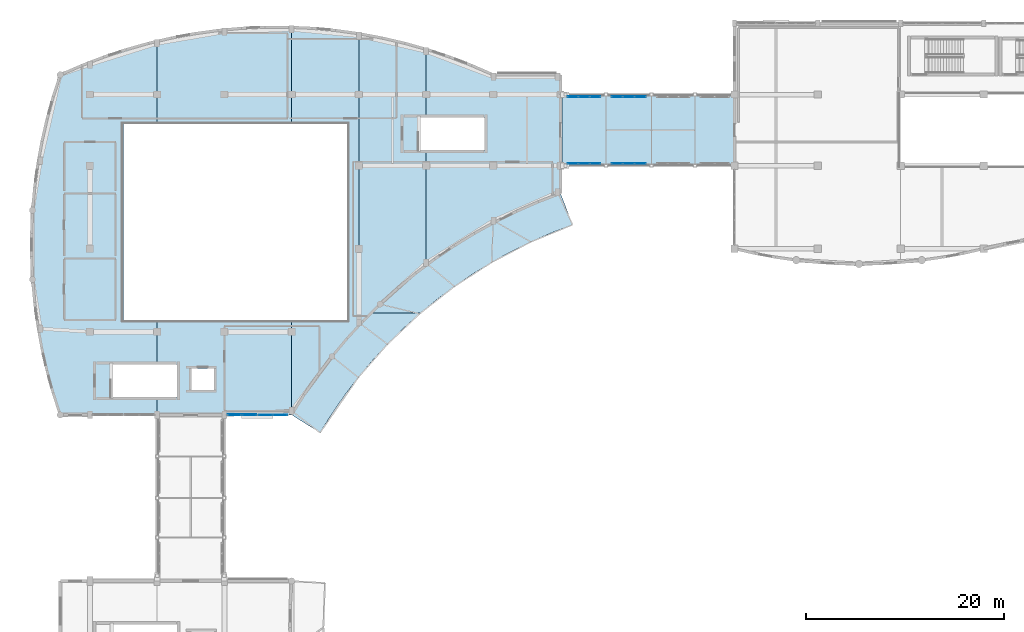
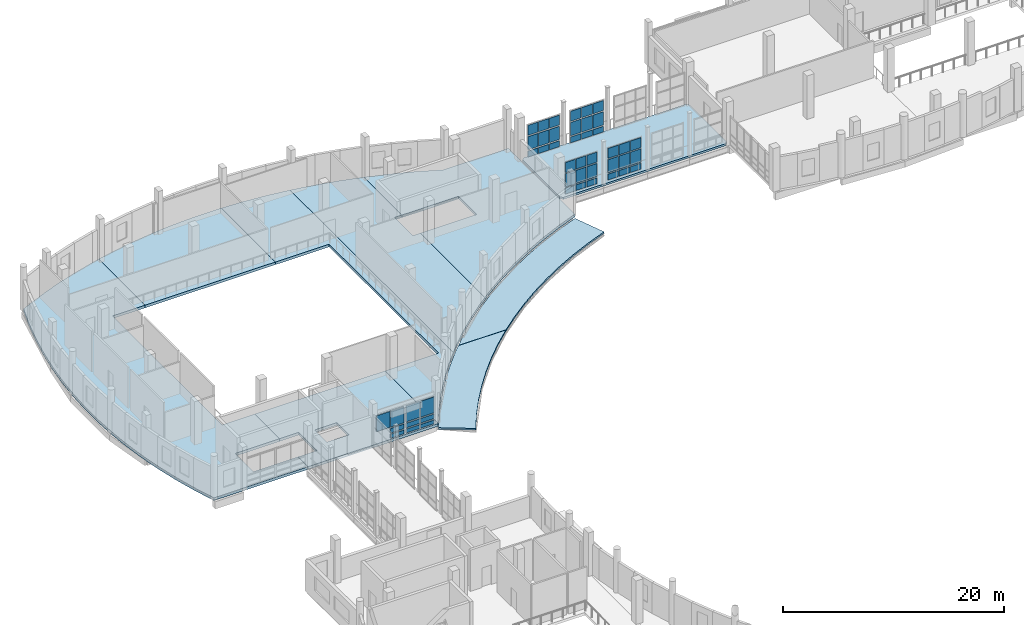
# One storey, part 70 of 106: 46 plates, 9 slabs, 6 elements without a shape of their own.
"""IFC4 building model written with IfcOpenShell, lengths in metres."""

from ifc_helpers import new_model, si_unit, direction, frame, origin, origin_2d, place, context, subcontext, project, spatial, polyline, rectangle, outline, extrude, material, layer, layer_set, type_object, element, aggregate, save


model = new_model("IFC4")

# Units and contexts
model_context = context("Model", 3, precision=1e-05, world=origin(), true_north=direction((0.0, 1.0)))
body_context = subcontext(model_context, "Body", "Model", "MODEL_VIEW")
ifc_project = project(units=[si_unit("LENGTHUNIT", "METRE"), si_unit("AREAUNIT", "SQUARE_METRE"), si_unit("VOLUMEUNIT", "CUBIC_METRE"), si_unit("PLANEANGLEUNIT", "RADIAN"), si_unit("MASSUNIT", "GRAM", prefix="KILO")], contexts=[model_context])

# Site, building, storey
site_placement = place(None, origin())
site = spatial("IfcSite", under=ifc_project, at=site_placement, CompositionType="ELEMENT")
building_placement = place(site_placement, origin())
building = spatial("IfcBuilding", under=site, at=building_placement, Name="Kisaragi Civic Commons", CompositionType="ELEMENT")
storey_placement = place(building_placement, frame((0.0, 0.0, 4.800048828125)))
storey = spatial("IfcBuildingStorey", under=building, at=storey_placement, Name="L01", CompositionType="ELEMENT", Elevation=4.800048828125)

# Curtain wall, plates
ifc_material_1 = material(Name="Thermally broken anodized aluminium and low-E double glazing", Category="aluminium")
ifc_layer_1 = layer(ifc_material_1, 0.2099609375, Name="Thermally broken anodized aluminium and low-E double glazing", Category="aluminium")
ifc_layer_set_1 = layer_set([ifc_layer_1], Name="Thermally broken anodized aluminium and low-E double glazing")
curtain_wall_type_1 = type_object("IfcCurtainWallType", Name="CW-02", PredefinedType="NOTDEFINED", material=ifc_layer_set_1)
curtain_wall_1_placement = place(storey_placement, origin())
curtain_wall_1 = element("IfcCurtainWall", 1, at=curtain_wall_1_placement, inside=storey, type_object=curtain_wall_type_1, Name="L01 curtain wall CW-02 CW-V2-L01-005", PredefinedType="NOTDEFINED")
ifc_layer_2 = layer(ifc_material_1, 0.06005859375, Name="Thermally broken anodized aluminium and low-E double glazing", Category="aluminium")
ifc_layer_set_2 = layer_set([ifc_layer_2], Name="Thermally broken anodized aluminium and low-E double glazing")
plate_type_1 = type_object("IfcPlateType", Name="CWP-07", PredefinedType="CURTAIN_PANEL", material=ifc_layer_set_2)
plate_1_placement = place(storey_placement, frame((26.043212890625, 79.199951171875, 0.16015625), z_axis=(0.0, 0.0, 1.0), x_axis=(-1.0, 0.0, 0.0)))
plate_1 = element("IfcPlate", 2, at=plate_1_placement, type_object=plate_type_1, Name="CW-02 panel 1.1", PredefinedType="CURTAIN_PANEL", context=body_context, shape_type="SweptSolid", body=[
    extrude(rectangle(XDim=1.413818359375, YDim=0.06005859375, at=origin_2d()), origin(), (0.0, 0.0, 1.0), 0.409912109375),
])
plate_2_placement = place(storey_placement, frame((26.043212890625, 79.199951171875, 0.72998046875), z_axis=(0.0, 0.0, 1.0), x_axis=(-1.0, 0.0, 0.0)))
plate_2 = element("IfcPlate", 3, at=plate_2_placement, type_object=plate_type_1, Name="CW-02 panel 1.2", PredefinedType="CURTAIN_PANEL", context=body_context, shape_type="SweptSolid", body=[
    extrude(rectangle(XDim=1.413818359375, YDim=0.06005859375, at=origin_2d()), origin(), (0.0, 0.0, 1.0), 0.489990234375),
])
plate_3_placement = place(storey_placement, frame((26.043212890625, 79.199951171875, 1.3798828125), z_axis=(0.0, 0.0, 1.0), x_axis=(-1.0, 0.0, 0.0)))
plate_3 = element("IfcPlate", 4, at=plate_3_placement, type_object=plate_type_1, Name="CW-02 panel 1.3", PredefinedType="CURTAIN_PANEL", context=body_context, shape_type="SweptSolid", body=[
    extrude(rectangle(XDim=1.413818359375, YDim=0.06005859375, at=origin_2d()), origin(), (0.0, 0.0, 1.0), 1.7451171875),
])
plate_4_placement = place(storey_placement, frame((24.559326171875, 79.199951171875, 0.16015625), z_axis=(0.0, 0.0, 1.0), x_axis=(-1.0, 0.0, 0.0)))
plate_4 = element("IfcPlate", 5, at=plate_4_placement, type_object=plate_type_1, Name="CW-02 panel 2.1", PredefinedType="CURTAIN_PANEL", context=body_context, shape_type="SweptSolid", body=[
    extrude(rectangle(XDim=1.413818359375, YDim=0.06005859375, at=origin_2d()), origin(), (0.0, 0.0, 1.0), 0.409912109375),
])
plate_5_placement = place(storey_placement, frame((24.559326171875, 79.199951171875, 0.72998046875), z_axis=(0.0, 0.0, 1.0), x_axis=(-1.0, 0.0, 0.0)))
plate_5 = element("IfcPlate", 6, at=plate_5_placement, type_object=plate_type_1, Name="CW-02 panel 2.2", PredefinedType="CURTAIN_PANEL", context=body_context, shape_type="SweptSolid", body=[
    extrude(rectangle(XDim=1.413818359375, YDim=0.06005859375, at=origin_2d()), origin(), (0.0, 0.0, 1.0), 0.489990234375),
])
plate_6_placement = place(storey_placement, frame((24.559326171875, 79.199951171875, 1.3798828125), z_axis=(0.0, 0.0, 1.0), x_axis=(-1.0, 0.0, 0.0)))
plate_6 = element("IfcPlate", 7, at=plate_6_placement, type_object=plate_type_1, Name="CW-02 panel 2.3", PredefinedType="CURTAIN_PANEL", context=body_context, shape_type="SweptSolid", body=[
    extrude(rectangle(XDim=1.413818359375, YDim=0.06005859375, at=origin_2d()), origin(), (0.0, 0.0, 1.0), 1.7451171875),
])
aggregate(curtain_wall_1, [plate_1, plate_2, plate_3, plate_4, plate_5, plate_6])

ifc_layer_3 = layer(ifc_material_1, 0.179931640625, Name="Thermally broken anodized aluminium and low-E double glazing", Category="aluminium")
ifc_layer_set_3 = layer_set([ifc_layer_3], Name="Thermally broken anodized aluminium and low-E double glazing")
curtain_wall_type_2 = type_object("IfcCurtainWallType", Name="CW-04", PredefinedType="NOTDEFINED", material=ifc_layer_set_3)
curtain_wall_2_placement = place(storey_placement, origin())
curtain_wall_2 = element("IfcCurtainWall", 8, at=curtain_wall_2_placement, inside=storey, type_object=curtain_wall_type_2, Name="L01 curtain wall CW-04 CW-BR-117", PredefinedType="NOTDEFINED")
ifc_layer_4 = layer(ifc_material_1, 0.068115234375, Name="Thermally broken anodized aluminium and low-E double glazing", Category="aluminium")
ifc_layer_set_4 = layer_set([ifc_layer_4], Name="Thermally broken anodized aluminium and low-E double glazing")
plate_type_2 = type_object("IfcPlateType", Name="CWP-08", PredefinedType="CURTAIN_PANEL", material=ifc_layer_set_4)
plate_7_placement = place(storey_placement, frame((55.654541015625, 104.6201171875, 0.14013671875), z_axis=(0.0, 0.0, 1.0), x_axis=(1.0, 0.0, 0.0)))
plate_7 = element("IfcPlate", 9, at=plate_7_placement, type_object=plate_type_2, Name="CW-04 panel 1.1", PredefinedType="CURTAIN_PANEL", context=body_context, shape_type="SweptSolid", body=[
    extrude(rectangle(XDim=1.0390625, YDim=0.068115234375, at=origin_2d()), origin(), (0.0, 0.0, 1.0), 0.639892578125),
])
plate_8_placement = place(storey_placement, frame((55.654541015625, 104.6201171875, 0.919921875), z_axis=(0.0, 0.0, 1.0), x_axis=(1.0, 0.0, 0.0)))
plate_8 = element("IfcPlate", 10, at=plate_8_placement, type_object=plate_type_2, Name="CW-04 panel 1.2", PredefinedType="CURTAIN_PANEL", context=body_context, shape_type="SweptSolid", body=[
    extrude(rectangle(XDim=1.0390625, YDim=0.068115234375, at=origin_2d()), origin(), (0.0, 0.0, 1.0), 1.4599609375),
])
plate_9_placement = place(storey_placement, frame((55.654541015625, 104.6201171875, 2.52001953125), z_axis=(0.0, 0.0, 1.0), x_axis=(1.0, 0.0, 0.0)))
plate_9 = element("IfcPlate", 11, at=plate_9_placement, type_object=plate_type_2, Name="CW-04 panel 1.3", PredefinedType="CURTAIN_PANEL", context=body_context, shape_type="SweptSolid", body=[
    extrude(rectangle(XDim=1.0390625, YDim=0.068115234375, at=origin_2d()), origin(), (0.0, 0.0, 1.0), 1.10009765625),
])
plate_10_placement = place(storey_placement, frame((56.77490234375, 104.6201171875, 0.14013671875), z_axis=(0.0, 0.0, 1.0), x_axis=(1.0, 0.0, 0.0)))
plate_10 = element("IfcPlate", 12, at=plate_10_placement, type_object=plate_type_2, Name="CW-04 panel 2.1", PredefinedType="CURTAIN_PANEL", context=body_context, shape_type="SweptSolid", body=[
    extrude(rectangle(XDim=1.07177734375, YDim=0.068115234375, at=origin_2d()), origin(), (0.0, 0.0, 1.0), 0.639892578125),
])
plate_11_placement = place(storey_placement, frame((56.77490234375, 104.6201171875, 0.919921875), z_axis=(0.0, 0.0, 1.0), x_axis=(1.0, 0.0, 0.0)))
plate_11 = element("IfcPlate", 13, at=plate_11_placement, type_object=plate_type_2, Name="CW-04 panel 2.2", PredefinedType="CURTAIN_PANEL", context=body_context, shape_type="SweptSolid", body=[
    extrude(rectangle(XDim=1.07177734375, YDim=0.068115234375, at=origin_2d()), origin(), (0.0, 0.0, 1.0), 1.4599609375),
])
plate_12_placement = place(storey_placement, frame((56.77490234375, 104.6201171875, 2.52001953125), z_axis=(0.0, 0.0, 1.0), x_axis=(1.0, 0.0, 0.0)))
plate_12 = element("IfcPlate", 14, at=plate_12_placement, type_object=plate_type_2, Name="CW-04 panel 2.3", PredefinedType="CURTAIN_PANEL", context=body_context, shape_type="SweptSolid", body=[
    extrude(rectangle(XDim=1.07177734375, YDim=0.068115234375, at=origin_2d()), origin(), (0.0, 0.0, 1.0), 1.10009765625),
])
plate_13_placement = place(storey_placement, frame((57.8955078125, 104.6201171875, 0.14013671875), z_axis=(0.0, 0.0, 1.0), x_axis=(1.0, 0.0, 0.0)))
plate_13 = element("IfcPlate", 15, at=plate_13_placement, type_object=plate_type_2, Name="CW-04 panel 3.1", PredefinedType="CURTAIN_PANEL", context=body_context, shape_type="SweptSolid", body=[
    extrude(rectangle(XDim=1.0390625, YDim=0.068115234375, at=origin_2d()), origin(), (0.0, 0.0, 1.0), 0.639892578125),
])
plate_14_placement = place(storey_placement, frame((57.8955078125, 104.6201171875, 0.919921875), z_axis=(0.0, 0.0, 1.0), x_axis=(1.0, 0.0, 0.0)))
plate_14 = element("IfcPlate", 16, at=plate_14_placement, type_object=plate_type_2, Name="CW-04 panel 3.2", PredefinedType="CURTAIN_PANEL", context=body_context, shape_type="SweptSolid", body=[
    extrude(rectangle(XDim=1.0390625, YDim=0.068115234375, at=origin_2d()), origin(), (0.0, 0.0, 1.0), 1.4599609375),
])
plate_15_placement = place(storey_placement, frame((57.8955078125, 104.6201171875, 2.52001953125), z_axis=(0.0, 0.0, 1.0), x_axis=(1.0, 0.0, 0.0)))
plate_15 = element("IfcPlate", 17, at=plate_15_placement, type_object=plate_type_2, Name="CW-04 panel 3.3", PredefinedType="CURTAIN_PANEL", context=body_context, shape_type="SweptSolid", body=[
    extrude(rectangle(XDim=1.0390625, YDim=0.068115234375, at=origin_2d()), origin(), (0.0, 0.0, 1.0), 1.10009765625),
])
aggregate(curtain_wall_2, [plate_7, plate_8, plate_9, plate_10, plate_11, plate_12, plate_13, plate_14, plate_15])

curtain_wall_3_placement = place(storey_placement, origin())
curtain_wall_3 = element("IfcCurtainWall", 18, at=curtain_wall_3_placement, inside=storey, type_object=curtain_wall_type_2, Name="L01 curtain wall CW-04 CW-BR-118", PredefinedType="NOTDEFINED")
plate_16_placement = place(storey_placement, frame((60.129638671875, 104.6201171875, 0.14013671875), z_axis=(0.0, 0.0, 1.0), x_axis=(1.0, 0.0, 0.0)))
plate_16 = element("IfcPlate", 19, at=plate_16_placement, type_object=plate_type_2, Name="CW-04 panel 1.1", PredefinedType="CURTAIN_PANEL", context=body_context, shape_type="SweptSolid", body=[
    extrude(rectangle(XDim=1.089111328125, YDim=0.068115234375, at=origin_2d()), origin(), (0.0, 0.0, 1.0), 0.639892578125),
])
plate_17_placement = place(storey_placement, frame((60.129638671875, 104.6201171875, 0.919921875), z_axis=(0.0, 0.0, 1.0), x_axis=(1.0, 0.0, 0.0)))
plate_17 = element("IfcPlate", 20, at=plate_17_placement, type_object=plate_type_2, Name="CW-04 panel 1.2", PredefinedType="CURTAIN_PANEL", context=body_context, shape_type="SweptSolid", body=[
    extrude(rectangle(XDim=1.089111328125, YDim=0.068115234375, at=origin_2d()), origin(), (0.0, 0.0, 1.0), 1.4599609375),
])
plate_18_placement = place(storey_placement, frame((60.129638671875, 104.6201171875, 2.52001953125), z_axis=(0.0, 0.0, 1.0), x_axis=(1.0, 0.0, 0.0)))
plate_18 = element("IfcPlate", 21, at=plate_18_placement, type_object=plate_type_2, Name="CW-04 panel 1.3", PredefinedType="CURTAIN_PANEL", context=body_context, shape_type="SweptSolid", body=[
    extrude(rectangle(XDim=1.089111328125, YDim=0.068115234375, at=origin_2d()), origin(), (0.0, 0.0, 1.0), 1.10009765625),
])
plate_19_placement = place(storey_placement, frame((61.300048828125, 104.6201171875, 0.14013671875), z_axis=(0.0, 0.0, 1.0), x_axis=(1.0, 0.0, 0.0)))
plate_19 = element("IfcPlate", 22, at=plate_19_placement, type_object=plate_type_2, Name="CW-04 panel 2.1", PredefinedType="CURTAIN_PANEL", context=body_context, shape_type="SweptSolid", body=[
    extrude(rectangle(XDim=1.12158203125, YDim=0.068115234375, at=origin_2d()), origin(), (0.0, 0.0, 1.0), 0.639892578125),
])
plate_20_placement = place(storey_placement, frame((61.300048828125, 104.6201171875, 0.919921875), z_axis=(0.0, 0.0, 1.0), x_axis=(1.0, 0.0, 0.0)))
plate_20 = element("IfcPlate", 23, at=plate_20_placement, type_object=plate_type_2, Name="CW-04 panel 2.2", PredefinedType="CURTAIN_PANEL", context=body_context, shape_type="SweptSolid", body=[
    extrude(rectangle(XDim=1.12158203125, YDim=0.068115234375, at=origin_2d()), origin(), (0.0, 0.0, 1.0), 1.4599609375),
])
plate_21_placement = place(storey_placement, frame((61.300048828125, 104.6201171875, 2.52001953125), z_axis=(0.0, 0.0, 1.0), x_axis=(1.0, 0.0, 0.0)))
plate_21 = element("IfcPlate", 24, at=plate_21_placement, type_object=plate_type_2, Name="CW-04 panel 2.3", PredefinedType="CURTAIN_PANEL", context=body_context, shape_type="SweptSolid", body=[
    extrude(rectangle(XDim=1.12158203125, YDim=0.068115234375, at=origin_2d()), origin(), (0.0, 0.0, 1.0), 1.10009765625),
])
plate_22_placement = place(storey_placement, frame((62.470458984375, 104.6201171875, 0.14013671875), z_axis=(0.0, 0.0, 1.0), x_axis=(1.0, 0.0, 0.0)))
plate_22 = element("IfcPlate", 25, at=plate_22_placement, type_object=plate_type_2, Name="CW-04 panel 3.1", PredefinedType="CURTAIN_PANEL", context=body_context, shape_type="SweptSolid", body=[
    extrude(rectangle(XDim=1.089111328125, YDim=0.068115234375, at=origin_2d()), origin(), (0.0, 0.0, 1.0), 0.639892578125),
])
plate_23_placement = place(storey_placement, frame((62.470458984375, 104.6201171875, 0.919921875), z_axis=(0.0, 0.0, 1.0), x_axis=(1.0, 0.0, 0.0)))
plate_23 = element("IfcPlate", 26, at=plate_23_placement, type_object=plate_type_2, Name="CW-04 panel 3.2", PredefinedType="CURTAIN_PANEL", context=body_context, shape_type="SweptSolid", body=[
    extrude(rectangle(XDim=1.089111328125, YDim=0.068115234375, at=origin_2d()), origin(), (0.0, 0.0, 1.0), 1.4599609375),
])
plate_24_placement = place(storey_placement, frame((62.470458984375, 104.6201171875, 2.52001953125), z_axis=(0.0, 0.0, 1.0), x_axis=(1.0, 0.0, 0.0)))
plate_24 = element("IfcPlate", 27, at=plate_24_placement, type_object=plate_type_2, Name="CW-04 panel 3.3", PredefinedType="CURTAIN_PANEL", context=body_context, shape_type="SweptSolid", body=[
    extrude(rectangle(XDim=1.089111328125, YDim=0.068115234375, at=origin_2d()), origin(), (0.0, 0.0, 1.0), 1.10009765625),
])
aggregate(curtain_wall_3, [plate_16, plate_17, plate_18, plate_19, plate_20, plate_21, plate_22, plate_23, plate_24])

curtain_wall_4_placement = place(storey_placement, origin())
curtain_wall_4 = element("IfcCurtainWall", 28, at=curtain_wall_4_placement, inside=storey, type_object=curtain_wall_type_2, Name="L01 curtain wall CW-04 CW-BR-121", PredefinedType="NOTDEFINED")
plate_25_placement = place(storey_placement, frame((55.654541015625, 111.3798828125, 0.14013671875), z_axis=(0.0, 0.0, 1.0), x_axis=(1.0, 0.0, 0.0)))
plate_25 = element("IfcPlate", 29, at=plate_25_placement, type_object=plate_type_2, Name="CW-04 panel 1.1", PredefinedType="CURTAIN_PANEL", context=body_context, shape_type="SweptSolid", body=[
    extrude(rectangle(XDim=1.0390625, YDim=0.068115234375, at=origin_2d()), origin(), (0.0, 0.0, 1.0), 0.639892578125),
])
plate_26_placement = place(storey_placement, frame((55.654541015625, 111.3798828125, 0.919921875), z_axis=(0.0, 0.0, 1.0), x_axis=(1.0, 0.0, 0.0)))
plate_26 = element("IfcPlate", 30, at=plate_26_placement, type_object=plate_type_2, Name="CW-04 panel 1.2", PredefinedType="CURTAIN_PANEL", context=body_context, shape_type="SweptSolid", body=[
    extrude(rectangle(XDim=1.0390625, YDim=0.068115234375, at=origin_2d()), origin(), (0.0, 0.0, 1.0), 1.4599609375),
])
plate_27_placement = place(storey_placement, frame((55.654541015625, 111.3798828125, 2.52001953125), z_axis=(0.0, 0.0, 1.0), x_axis=(1.0, 0.0, 0.0)))
plate_27 = element("IfcPlate", 31, at=plate_27_placement, type_object=plate_type_2, Name="CW-04 panel 1.3", PredefinedType="CURTAIN_PANEL", context=body_context, shape_type="SweptSolid", body=[
    extrude(rectangle(XDim=1.0390625, YDim=0.068115234375, at=origin_2d()), origin(), (0.0, 0.0, 1.0), 1.10009765625),
])
plate_28_placement = place(storey_placement, frame((56.77490234375, 111.3798828125, 0.14013671875), z_axis=(0.0, 0.0, 1.0), x_axis=(1.0, 0.0, 0.0)))
plate_28 = element("IfcPlate", 32, at=plate_28_placement, type_object=plate_type_2, Name="CW-04 panel 2.1", PredefinedType="CURTAIN_PANEL", context=body_context, shape_type="SweptSolid", body=[
    extrude(rectangle(XDim=1.07177734375, YDim=0.068115234375, at=origin_2d()), origin(), (0.0, 0.0, 1.0), 0.639892578125),
])
plate_29_placement = place(storey_placement, frame((56.77490234375, 111.3798828125, 0.919921875), z_axis=(0.0, 0.0, 1.0), x_axis=(1.0, 0.0, 0.0)))
plate_29 = element("IfcPlate", 33, at=plate_29_placement, type_object=plate_type_2, Name="CW-04 panel 2.2", PredefinedType="CURTAIN_PANEL", context=body_context, shape_type="SweptSolid", body=[
    extrude(rectangle(XDim=1.07177734375, YDim=0.068115234375, at=origin_2d()), origin(), (0.0, 0.0, 1.0), 1.4599609375),
])
plate_30_placement = place(storey_placement, frame((56.77490234375, 111.3798828125, 2.52001953125), z_axis=(0.0, 0.0, 1.0), x_axis=(1.0, 0.0, 0.0)))
plate_30 = element("IfcPlate", 34, at=plate_30_placement, type_object=plate_type_2, Name="CW-04 panel 2.3", PredefinedType="CURTAIN_PANEL", context=body_context, shape_type="SweptSolid", body=[
    extrude(rectangle(XDim=1.07177734375, YDim=0.068115234375, at=origin_2d()), origin(), (0.0, 0.0, 1.0), 1.10009765625),
])
plate_31_placement = place(storey_placement, frame((57.8955078125, 111.3798828125, 0.14013671875), z_axis=(0.0, 0.0, 1.0), x_axis=(1.0, 0.0, 0.0)))
plate_31 = element("IfcPlate", 35, at=plate_31_placement, type_object=plate_type_2, Name="CW-04 panel 3.1", PredefinedType="CURTAIN_PANEL", context=body_context, shape_type="SweptSolid", body=[
    extrude(rectangle(XDim=1.0390625, YDim=0.068115234375, at=origin_2d()), origin(), (0.0, 0.0, 1.0), 0.639892578125),
])
plate_32_placement = place(storey_placement, frame((57.8955078125, 111.3798828125, 0.919921875), z_axis=(0.0, 0.0, 1.0), x_axis=(1.0, 0.0, 0.0)))
plate_32 = element("IfcPlate", 36, at=plate_32_placement, type_object=plate_type_2, Name="CW-04 panel 3.2", PredefinedType="CURTAIN_PANEL", context=body_context, shape_type="SweptSolid", body=[
    extrude(rectangle(XDim=1.0390625, YDim=0.068115234375, at=origin_2d()), origin(), (0.0, 0.0, 1.0), 1.4599609375),
])
plate_33_placement = place(storey_placement, frame((57.8955078125, 111.3798828125, 2.52001953125), z_axis=(0.0, 0.0, 1.0), x_axis=(1.0, 0.0, 0.0)))
plate_33 = element("IfcPlate", 37, at=plate_33_placement, type_object=plate_type_2, Name="CW-04 panel 3.3", PredefinedType="CURTAIN_PANEL", context=body_context, shape_type="SweptSolid", body=[
    extrude(rectangle(XDim=1.0390625, YDim=0.068115234375, at=origin_2d()), origin(), (0.0, 0.0, 1.0), 1.10009765625),
])
aggregate(curtain_wall_4, [plate_25, plate_26, plate_27, plate_28, plate_29, plate_30, plate_31, plate_32, plate_33])

curtain_wall_5_placement = place(storey_placement, origin())
curtain_wall_5 = element("IfcCurtainWall", 38, at=curtain_wall_5_placement, inside=storey, type_object=curtain_wall_type_2, Name="L01 curtain wall CW-04 CW-BR-122", PredefinedType="NOTDEFINED")
plate_34_placement = place(storey_placement, frame((60.129638671875, 111.3798828125, 0.14013671875), z_axis=(0.0, 0.0, 1.0), x_axis=(1.0, 0.0, 0.0)))
plate_34 = element("IfcPlate", 39, at=plate_34_placement, type_object=plate_type_2, Name="CW-04 panel 1.1", PredefinedType="CURTAIN_PANEL", context=body_context, shape_type="SweptSolid", body=[
    extrude(rectangle(XDim=1.089111328125, YDim=0.068115234375, at=origin_2d()), origin(), (0.0, 0.0, 1.0), 0.639892578125),
])
plate_35_placement = place(storey_placement, frame((60.129638671875, 111.3798828125, 0.919921875), z_axis=(0.0, 0.0, 1.0), x_axis=(1.0, 0.0, 0.0)))
plate_35 = element("IfcPlate", 40, at=plate_35_placement, type_object=plate_type_2, Name="CW-04 panel 1.2", PredefinedType="CURTAIN_PANEL", context=body_context, shape_type="SweptSolid", body=[
    extrude(rectangle(XDim=1.089111328125, YDim=0.068115234375, at=origin_2d()), origin(), (0.0, 0.0, 1.0), 1.4599609375),
])
plate_36_placement = place(storey_placement, frame((60.129638671875, 111.3798828125, 2.52001953125), z_axis=(0.0, 0.0, 1.0), x_axis=(1.0, 0.0, 0.0)))
plate_36 = element("IfcPlate", 41, at=plate_36_placement, type_object=plate_type_2, Name="CW-04 panel 1.3", PredefinedType="CURTAIN_PANEL", context=body_context, shape_type="SweptSolid", body=[
    extrude(rectangle(XDim=1.089111328125, YDim=0.068115234375, at=origin_2d()), origin(), (0.0, 0.0, 1.0), 1.10009765625),
])
plate_37_placement = place(storey_placement, frame((61.300048828125, 111.3798828125, 0.14013671875), z_axis=(0.0, 0.0, 1.0), x_axis=(1.0, 0.0, 0.0)))
plate_37 = element("IfcPlate", 42, at=plate_37_placement, type_object=plate_type_2, Name="CW-04 panel 2.1", PredefinedType="CURTAIN_PANEL", context=body_context, shape_type="SweptSolid", body=[
    extrude(rectangle(XDim=1.12158203125, YDim=0.068115234375, at=origin_2d()), origin(), (0.0, 0.0, 1.0), 0.639892578125),
])
plate_38_placement = place(storey_placement, frame((61.300048828125, 111.3798828125, 0.919921875), z_axis=(0.0, 0.0, 1.0), x_axis=(1.0, 0.0, 0.0)))
plate_38 = element("IfcPlate", 43, at=plate_38_placement, type_object=plate_type_2, Name="CW-04 panel 2.2", PredefinedType="CURTAIN_PANEL", context=body_context, shape_type="SweptSolid", body=[
    extrude(rectangle(XDim=1.12158203125, YDim=0.068115234375, at=origin_2d()), origin(), (0.0, 0.0, 1.0), 1.4599609375),
])
plate_39_placement = place(storey_placement, frame((61.300048828125, 111.3798828125, 2.52001953125), z_axis=(0.0, 0.0, 1.0), x_axis=(1.0, 0.0, 0.0)))
plate_39 = element("IfcPlate", 44, at=plate_39_placement, type_object=plate_type_2, Name="CW-04 panel 2.3", PredefinedType="CURTAIN_PANEL", context=body_context, shape_type="SweptSolid", body=[
    extrude(rectangle(XDim=1.12158203125, YDim=0.068115234375, at=origin_2d()), origin(), (0.0, 0.0, 1.0), 1.10009765625),
])
plate_40_placement = place(storey_placement, frame((62.470458984375, 111.3798828125, 0.14013671875), z_axis=(0.0, 0.0, 1.0), x_axis=(1.0, 0.0, 0.0)))
plate_40 = element("IfcPlate", 45, at=plate_40_placement, type_object=plate_type_2, Name="CW-04 panel 3.1", PredefinedType="CURTAIN_PANEL", context=body_context, shape_type="SweptSolid", body=[
    extrude(rectangle(XDim=1.089111328125, YDim=0.068115234375, at=origin_2d()), origin(), (0.0, 0.0, 1.0), 0.639892578125),
])
plate_41_placement = place(storey_placement, frame((62.470458984375, 111.3798828125, 0.919921875), z_axis=(0.0, 0.0, 1.0), x_axis=(1.0, 0.0, 0.0)))
plate_41 = element("IfcPlate", 46, at=plate_41_placement, type_object=plate_type_2, Name="CW-04 panel 3.2", PredefinedType="CURTAIN_PANEL", context=body_context, shape_type="SweptSolid", body=[
    extrude(rectangle(XDim=1.089111328125, YDim=0.068115234375, at=origin_2d()), origin(), (0.0, 0.0, 1.0), 1.4599609375),
])
plate_42_placement = place(storey_placement, frame((62.470458984375, 111.3798828125, 2.52001953125), z_axis=(0.0, 0.0, 1.0), x_axis=(1.0, 0.0, 0.0)))
plate_42 = element("IfcPlate", 47, at=plate_42_placement, type_object=plate_type_2, Name="CW-04 panel 3.3", PredefinedType="CURTAIN_PANEL", context=body_context, shape_type="SweptSolid", body=[
    extrude(rectangle(XDim=1.089111328125, YDim=0.068115234375, at=origin_2d()), origin(), (0.0, 0.0, 1.0), 1.10009765625),
])
aggregate(curtain_wall_5, [plate_34, plate_35, plate_36, plate_37, plate_38, plate_39, plate_40, plate_41, plate_42])

curtain_wall_6_placement = place(storey_placement, origin())
curtain_wall_6 = element("IfcCurtainWall", 48, at=curtain_wall_6_placement, inside=storey, type_object=curtain_wall_type_1, Name="L01 curtain wall CW-02 CW-V2-L01-006", PredefinedType="NOTDEFINED")
ifc_layer_5 = layer(ifc_material_1, 0.073974609375, Name="Thermally broken anodized aluminium and low-E double glazing", Category="aluminium")
ifc_layer_set_5 = layer_set([ifc_layer_5], Name="Thermally broken anodized aluminium and low-E double glazing")
plate_type_3 = type_object("IfcPlateType", Name="CWP-09", PredefinedType="CURTAIN_PANEL", material=ifc_layer_set_5)
plate_43_placement = place(storey_placement, frame((22.925537109375, 79.199951171875, 0.16015625), z_axis=(0.0, 0.0, 1.0), x_axis=(-1.0, 0.0, 0.0)))
plate_43 = element("IfcPlate", 49, at=plate_43_placement, type_object=plate_type_3, Name="CW-02 panel 1.1", PredefinedType="CURTAIN_PANEL", context=body_context, shape_type="SweptSolid", body=[
    extrude(rectangle(XDim=1.413818359375, YDim=0.073974609375, at=origin_2d()), origin(), (0.0, 0.0, 1.0), 0.409912109375),
])
plate_44_placement = place(storey_placement, frame((22.925537109375, 79.199951171875, 0.72998046875), z_axis=(0.0, 0.0, 1.0), x_axis=(-1.0, 0.0, 0.0)))
plate_44 = element("IfcPlate", 50, at=plate_44_placement, type_object=plate_type_3, Name="CW-02 panel 1.2", PredefinedType="CURTAIN_PANEL", context=body_context, shape_type="SweptSolid", body=[
    extrude(rectangle(XDim=1.413818359375, YDim=0.073974609375, at=origin_2d()), origin(), (0.0, 0.0, 1.0), 0.489990234375),
])
plate_45_placement = place(storey_placement, frame((22.925537109375, 79.199951171875, 1.3798828125), z_axis=(0.0, 0.0, 1.0), x_axis=(-1.0, 0.0, 0.0)))
plate_45 = element("IfcPlate", 51, at=plate_45_placement, type_object=plate_type_3, Name="CW-02 panel 1.3", PredefinedType="CURTAIN_PANEL", context=body_context, shape_type="SweptSolid", body=[
    extrude(rectangle(XDim=1.413818359375, YDim=0.073974609375, at=origin_2d()), origin(), (0.0, 0.0, 1.0), 1.7451171875),
])
plate_46_placement = place(storey_placement, frame((21.44189453125, 79.199951171875, 1.3798828125), z_axis=(0.0, 0.0, 1.0), x_axis=(-1.0, 0.0, 0.0)))
plate_46 = element("IfcPlate", 52, at=plate_46_placement, type_object=plate_type_3, Name="CW-02 panel 2.3", PredefinedType="CURTAIN_PANEL", context=body_context, shape_type="SweptSolid", body=[
    extrude(rectangle(XDim=1.413818359375, YDim=0.073974609375, at=origin_2d()), origin(), (0.0, 0.0, 1.0), 1.7451171875),
])
aggregate(curtain_wall_6, [plate_43, plate_44, plate_45, plate_46])

# Slabs
ifc_material_2 = material(Name="Concrete Fc30", Category="concrete")
ifc_layer_6 = layer(ifc_material_2, 0.215087890625, Name="Concrete Fc30", Category="concrete")
ifc_layer_set_6 = layer_set([ifc_layer_6], Name="Concrete Fc30")
slab_type_1 = type_object("IfcSlabType", Name="SL-BR", PredefinedType="FLOOR", material=ifc_layer_set_6)
slab_1_placement = place(storey_placement, frame((0.0, 0.0, -0.215087890625)))
element("IfcSlab", 53, at=slab_1_placement, inside=storey, type_object=slab_type_1, Name="BR-V4-V2 L01 bridge deck slab", PredefinedType="FLOOR", context=body_context, shape_type="SweptSolid", body=[
    extrude(outline(polyline([(54.820068359375, 104.39990234375), (71.72998046875, 104.39990234375), (71.97998046875, 104.64990234375), (71.97998046875, 111.35009765625), (71.72998046875, 111.60009765625), (54.820068359375, 111.60009765625), (54.570068359375, 111.35009765625), (54.570068359375, 104.64990234375), (54.820068359375, 104.39990234375)])), origin(), (0.0, 0.0, 1.0), 0.215087890625),
])
ifc_layer_7 = layer(ifc_material_2, 0.2919921875, Name="Concrete Fc30", Category="concrete")
ifc_layer_set_7 = layer_set([ifc_layer_7], Name="Concrete Fc30")
slab_type_2 = type_object("IfcSlabType", Name="SL-F1B", PredefinedType="FLOOR", material=ifc_layer_set_7)
slab_2_placement = place(storey_placement, frame((0.0, 0.0, -0.2919921875)))
element("IfcSlab", 54, at=slab_2_placement, inside=storey, type_object=slab_type_2, Name="V2 L01 slab SL-F1B 16", PredefinedType="FLOOR", context=body_context, shape_type="SweptSolid", body=[
    extrude(outline(polyline([(3.07666015625, 81.42236328125), (3.800048828125, 79.199951171875), (13.60009765625, 79.199951171875), (13.60009765625, 81.0), (8.949951171875, 81.0), (8.949951171875, 84.300048828125), (13.60009765625, 84.300048828125), (13.60009765625, 88.800048828125), (10.199951171875, 88.800048828125), (10.199951171875, 108.60009765625), (13.60009765625, 108.60009765625), (13.60009765625, 116.99609375), (12.75048828125, 116.79833984375), (10.460205078125, 116.1533203125), (8.201904296875, 115.404052734375), (5.98046875, 114.552490234375), (3.800048828125, 113.60009765625), (3.07666015625, 111.377685546875), (2.4541015625, 109.125), (1.93310546875, 106.846435546875), (1.51513671875, 104.547119140625), (1.200927734375, 102.231201171875), (0.9912109375, 99.9033203125), (0.885986328125, 97.568603515625), (0.885986328125, 95.2314453125), (0.9912109375, 92.896484375), (1.200927734375, 90.56884765625), (1.51513671875, 88.2529296875), (1.93310546875, 85.95361328125), (2.4541015625, 83.675048828125), (3.07666015625, 81.42236328125)])), origin(), (0.0, 0.0, 1.0), 0.2919921875),
])
slab_3_placement = place(storey_placement, frame((0.0, 0.0, -0.2919921875)))
element("IfcSlab", 55, at=slab_3_placement, inside=storey, type_object=slab_type_2, Name="V2 L01 slab SL-F1B 17", PredefinedType="FLOOR", context=body_context, shape_type="SweptSolid", body=[
    extrude(outline(polyline([(13.60009765625, 116.99609375), (13.60009765625, 108.60009765625), (27.199951171875, 108.60009765625), (27.199951171875, 118.40869140625), (26.8896484375, 118.423095703125), (24.510498046875, 118.423095703125), (22.133544921875, 118.314208984375), (19.76416015625, 118.0966796875), (17.4072265625, 117.77099609375), (15.067626953125, 117.337890625), (13.60009765625, 116.99609375)])), origin(), (0.0, 0.0, 1.0), 0.2919921875),
])
slab_4_placement = place(storey_placement, frame((0.0, 0.0, -0.2919921875)))
element("IfcSlab", 56, at=slab_4_placement, inside=storey, type_object=slab_type_2, Name="V2 L01 slab SL-F1B 18", PredefinedType="FLOOR", context=body_context, shape_type="SweptSolid", body=[
    extrude(outline(polyline([(27.199951171875, 79.199951171875), (27.199951171875, 88.800048828125), (13.60009765625, 88.800048828125), (13.60009765625, 84.300048828125), (15.60009765625, 84.300048828125), (15.60009765625, 81.0), (13.60009765625, 81.0), (13.60009765625, 79.199951171875), (27.199951171875, 79.199951171875)]), holes=[polyline([(17.050048828125, 81.699951171875), (19.35009765625, 81.699951171875), (19.35009765625, 83.89990234375), (17.050048828125, 83.89990234375), (17.050048828125, 81.699951171875)])]), origin(), (0.0, 0.0, 1.0), 0.2919921875),
])
slab_5_placement = place(storey_placement, frame((0.0, 0.0, -0.2919921875)))
element("IfcSlab", 57, at=slab_5_placement, inside=storey, type_object=slab_type_2, Name="V2 L01 slab SL-F1B 19", PredefinedType="FLOOR", context=body_context, shape_type="SweptSolid", body=[
    extrude(outline(polyline([(27.199951171875, 118.40869140625), (27.199951171875, 108.60009765625), (32.800048828125, 108.60009765625), (32.800048828125, 88.800048828125), (27.199951171875, 88.800048828125), (27.199951171875, 79.199951171875), (28.471435546875, 81.231201171875), (29.8349609375, 83.20166015625), (31.2880859375, 85.107421875), (32.8271484375, 86.94384765625), (34.0, 88.218994140625), (34.0, 117.769775390625), (33.99267578125, 117.77099609375), (31.6357421875, 118.0966796875), (29.2666015625, 118.314208984375), (27.199951171875, 118.40869140625)])), origin(), (0.0, 0.0, 1.0), 0.2919921875),
])
slab_6_placement = place(storey_placement, frame((0.0, 0.0, -0.2919921875)))
element("IfcSlab", 58, at=slab_6_placement, inside=storey, type_object=slab_type_2, Name="V2 L01 slab SL-F1B 20", PredefinedType="FLOOR", context=body_context, shape_type="SweptSolid", body=[
    extrude(outline(polyline([(34.0, 117.769775390625), (34.0, 88.218994140625), (34.449462890625, 88.707763671875), (36.151123046875, 90.394775390625), (37.9287109375, 92.001708984375), (39.778564453125, 93.525146484375), (40.800048828125, 94.290283203125), (40.800048828125, 106.0), (40.050048828125, 106.0), (40.050048828125, 109.300048828125), (40.800048828125, 109.300048828125), (40.800048828125, 116.192626953125), (38.6494140625, 116.79833984375), (36.332275390625, 117.337890625), (34.0, 117.769775390625)])), origin(), (0.0, 0.0, 1.0), 0.2919921875),
])
slab_7_placement = place(storey_placement, frame((0.0, 0.0, -0.2919921875)))
element("IfcSlab", 59, at=slab_7_placement, inside=storey, type_object=slab_type_2, Name="V2 L01 slab SL-F1B 21", PredefinedType="FLOOR", context=body_context, shape_type="SweptSolid", body=[
    extrude(outline(polyline([(40.800048828125, 116.192626953125), (40.800048828125, 109.300048828125), (46.699951171875, 109.300048828125), (46.699951171875, 106.0), (40.800048828125, 106.0), (40.800048828125, 94.290283203125), (41.696533203125, 94.961669921875), (43.6787109375, 96.308349609375), (45.720703125, 97.562255859375), (47.818359375, 98.720703125), (49.96728515625, 99.78125), (52.16259765625, 100.74169921875), (54.39990234375, 101.60009765625), (54.39990234375, 113.60009765625), (47.60009765625, 113.60009765625), (45.419677734375, 114.552490234375), (43.197998046875, 115.404052734375), (40.939697265625, 116.1533203125), (40.800048828125, 116.192626953125)])), origin(), (0.0, 0.0, 1.0), 0.2919921875),
])
ifc_layer_8 = layer(ifc_material_2, 0.175048828125, Name="Concrete Fc30", Category="concrete")
ifc_layer_set_8 = layer_set([ifc_layer_8], Name="Concrete Fc30")
slab_type_3 = type_object("IfcSlabType", Name="SL-RF3", PredefinedType="ROOF", material=ifc_layer_set_8)
slab_8_placement = place(storey_placement, frame((0.0, 0.0, -0.625)))
element("IfcSlab", 60, at=slab_8_placement, inside=storey, type_object=slab_type_3, Name="VER-V2 engawa veranda roof slab 1", PredefinedType="ROOF", context=body_context, shape_type="SweptSolid", body=[
    extrude(outline(polyline([(40.214599609375, 89.48095703125), (35.250732421875, 89.48095703125), (34.460205078125, 88.697265625), (32.83837890625, 86.93408203125), (31.2998046875, 85.097900390625), (29.84716796875, 83.19287109375), (28.48388671875, 81.222900390625), (27.212646484375, 79.19189453125), (30.08203125, 77.39599609375), (31.31103515625, 79.361328125), (32.58544921875, 81.202880859375), (33.943603515625, 82.98388671875), (35.382080078125, 84.700439453125), (36.898193359375, 86.34912109375), (38.48876953125, 87.92578125), (40.14990234375, 89.427734375), (40.214599609375, 89.48095703125)])), origin(), (0.0, 0.0, 1.0), 0.175048828125),
])
slab_9_placement = place(storey_placement, frame((0.0, 0.0, -0.625)))
element("IfcSlab", 61, at=slab_9_placement, inside=storey, type_object=slab_type_3, Name="VER-V2 engawa veranda roof slab 2", PredefinedType="ROOF", context=body_context, shape_type="SweptSolid", body=[
    extrude(outline(polyline([(55.617919921875, 98.425537109375), (54.405517578125, 101.5859375), (52.16845703125, 100.727783203125), (49.9736328125, 99.767578125), (47.8251953125, 98.707275390625), (45.728515625, 97.54931640625), (43.686767578125, 96.295654296875), (41.705078125, 94.949462890625), (39.787841796875, 93.51318359375), (37.9384765625, 91.990478515625), (36.161376953125, 90.3837890625), (35.27099609375, 89.5009765625), (40.239013671875, 89.5009765625), (41.87890625, 90.851318359375), (43.67138671875, 92.194091796875), (45.52392578125, 93.45263671875), (47.4326171875, 94.62451171875), (49.39306640625, 95.707275390625), (51.401611328125, 96.698486328125), (53.453369140625, 97.59619140625), (55.617919921875, 98.425537109375)])), origin(), (0.0, 0.0, 1.0), 0.175048828125),
])

save(model, "model.ifc")
